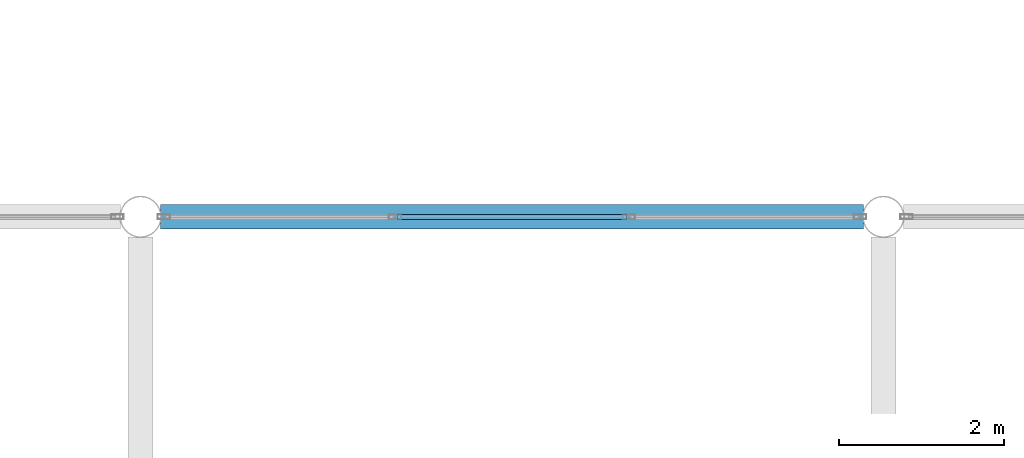
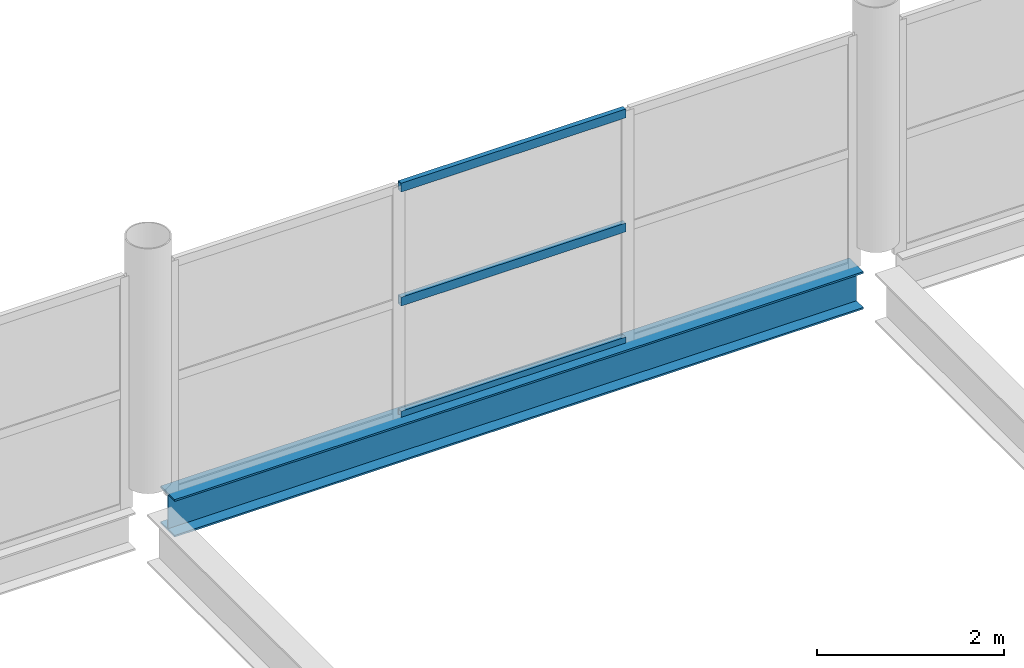
# One storey, part 41 of 134: 3 members, 1 beam, 1 element without a shape of its own.
"""IFC4 building model written with IfcOpenShell, lengths in metres."""

import ifcopenshell
import ifcopenshell.guid

model = None  # the IFC model being written
_history = None  # IfcOwnerHistory: only IFC2X3 demands one
_inside = {}  # id of a spatial element -> (the spatial element, [elements in it])
_under = {}  # id of a project, library or spatial element -> (it, [spatial elements below it])
_declared = {}  # id of a project -> (the project, [libraries it declares])
_typed = {}  # id of a type object -> (the type object, [elements of that type])
_made_of = {}  # id of a material, layer set ... -> (it, [elements and type objects made of it])


def new_model(schema):
    """Start an empty IFC model of exactly this schema.

    Asked for "IFC4X3", IfcOpenShell would pick the latest addendum, in which some entities
    have other attributes; the version numbers below select the first issue.
    IFC2X3 requires an IfcOwnerHistory on every rooted entity: one is made here for all.
    """
    global model, _history
    if schema == "IFC4X3":
        model = ifcopenshell.file(schema_version=(4, 3, 0, 0))
    else:
        model = ifcopenshell.file(schema=schema)
    _inside.clear()
    _under.clear()
    _declared.clear()
    _typed.clear()
    _made_of.clear()
    _history = None
    if model.schema == "IFC2X3":
        org = make("IfcOrganization", Name="unknown")
        user = make(
            "IfcPersonAndOrganization",
            ThePerson=make("IfcPerson", FamilyName="unknown"),
            TheOrganization=org,
        )
        app = make(
            "IfcApplication",
            ApplicationDeveloper=org,
            Version="unknown",
            ApplicationFullName="unknown",
            ApplicationIdentifier="unknown",
        )
        _history = make(
            "IfcOwnerHistory",
            OwningUser=user,
            OwningApplication=app,
            ChangeAction="ADDED",
            CreationDate=0,
        )
    return model


def make(cls, **values):
    """One entity of the class cls with the attributes given. An attribute that is None is left unset."""
    return model.create_entity(
        cls, **{name: value for name, value in values.items() if value is not None}
    )


def rooted(cls, **values):
    """An entity with a GlobalId (a new one), such as an element, a storey or a relation."""
    return make(cls, GlobalId=ifcopenshell.guid.new(), OwnerHistory=_history, **values)


def si_unit(unit_type, name, prefix=None):
    """IfcSIUnit, for example si_unit("LENGTHUNIT", "METRE", prefix="MILLI")."""
    return make("IfcSIUnit", UnitType=unit_type, Prefix=prefix, Name=name)


def assignment(units):
    """IfcUnitAssignment: the units of a project."""
    return None if units is None else make("IfcUnitAssignment", Units=units)


def point(xyz):
    """IfcCartesianPoint."""
    return None if xyz is None else make("IfcCartesianPoint", Coordinates=xyz)


def direction(xyz):
    """IfcDirection."""
    return None if xyz is None else make("IfcDirection", DirectionRatios=xyz)


def frame(location, z_axis=None, x_axis=None):
    """IfcAxis2Placement3D, a coordinate frame: its origin and axes. An axis left out is left unset."""
    return make(
        "IfcAxis2Placement3D",
        Location=point(location),
        Axis=direction(z_axis),
        RefDirection=direction(x_axis),
    )


def frame_2d(location, x_axis=None):
    """IfcAxis2Placement2D, a coordinate frame in the plane: its origin and x axis."""
    return make(
        "IfcAxis2Placement2D", Location=point(location), RefDirection=direction(x_axis)
    )


def origin():
    """The frame at (0, 0, 0) with its axes left unset."""
    return frame((0.0, 0.0, 0.0))


def origin_2d():
    """The frame at (0, 0) in the plane with its x axis left unset."""
    return frame_2d((0.0, 0.0))


def place(relative_to, where):
    """IfcLocalPlacement: puts the frame where relative to a parent placement (None: the world)."""
    return make(
        "IfcLocalPlacement", PlacementRelTo=relative_to, RelativePlacement=where
    )


def context(
    kind, dimensions, precision=None, world=None, true_north=None, identifier=None
):
    """IfcGeometricRepresentationContext, for example the 3D "Model" context."""
    return make(
        "IfcGeometricRepresentationContext",
        ContextIdentifier=identifier,
        ContextType=kind,
        CoordinateSpaceDimension=dimensions,
        Precision=precision,
        WorldCoordinateSystem=world,
        TrueNorth=true_north,
    )


def subcontext(parent, identifier, kind, view, scale=None):
    """IfcGeometricRepresentationSubContext, for example "Body" below "Model"."""
    return make(
        "IfcGeometricRepresentationSubContext",
        ContextIdentifier=identifier,
        ContextType=kind,
        ParentContext=parent,
        TargetScale=scale,
        TargetView=view,
    )


def project(units=None, contexts=None):
    """IfcProject with its units and contexts."""
    return rooted(
        "IfcProject",
        Name="project",
        RepresentationContexts=contexts,
        UnitsInContext=assignment(units),
    )


def spatial(cls, under=None, at=None, **own):
    """A site, building, storey or space (cls), placed at a placement, below another one or the project."""
    s = rooted(cls, ObjectPlacement=at, **own)
    if under is not None:
        _under.setdefault(under.id(), (under, []))[1].append(s)
    return s


def profile(cls, at=None, kind="AREA", **sizes):
    """A parametric profile (cls). Its sizes go by their IFC names, for example OverallWidth=200.0."""
    return make(cls, ProfileType=kind, Position=at, **sizes)


def hollow_rectangle(**sizes):
    """IfcRectangleHollowProfileDef."""
    return profile("IfcRectangleHollowProfileDef", **sizes)


def i_section(**sizes):
    """IfcIShapeProfileDef."""
    return profile("IfcIShapeProfileDef", **sizes)


def extrude(swept, where, along, depth):
    """IfcExtrudedAreaSolid: the profile swept, set in the frame where, extruded along a direction by depth."""
    return make(
        "IfcExtrudedAreaSolid",
        SweptArea=swept,
        Position=where,
        ExtrudedDirection=direction(along),
        Depth=depth,
    )


def shape(context_of_items, identifier, shape_type, items):
    """IfcShapeRepresentation: the items that make up one representation, for example the "Body"."""
    return make(
        "IfcShapeRepresentation",
        ContextOfItems=context_of_items,
        RepresentationIdentifier=identifier,
        RepresentationType=shape_type,
        Items=items,
    )


def material(Name=None, Category=None):
    """IfcMaterial."""
    return make("IfcMaterial", Name=Name, Category=Category)


def layer(
    of_material, thickness, ventilated=None, Name=None, Category=None, Priority=None
):
    """IfcMaterialLayer: one layer of a wall or slab, of a material (None: an air gap)."""
    return make(
        "IfcMaterialLayer",
        Material=of_material,
        LayerThickness=thickness,
        IsVentilated=ventilated,
        Name=Name,
        Category=Category,
        Priority=Priority,
    )


def layer_set(layers, Name=None):
    """IfcMaterialLayerSet."""
    return make("IfcMaterialLayerSet", MaterialLayers=layers, LayerSetName=Name)


def material_profile(
    of_material, cross_section, Name=None, Category=None, Priority=None
):
    """IfcMaterialProfile: a cross section and its material."""
    return make(
        "IfcMaterialProfile",
        Name=Name,
        Material=of_material,
        Profile=cross_section,
        Priority=Priority,
        Category=Category,
    )


def profile_set(profiles, Name=None, composite=None):
    """IfcMaterialProfileSet."""
    return make(
        "IfcMaterialProfileSet",
        Name=Name,
        MaterialProfiles=profiles,
        CompositeProfile=composite,
    )


def made_of(thing, what):
    """Note that an element or type object is made of a material, layer set ...; save() writes the relation."""
    if what is not None:
        _made_of.setdefault(what.id(), (what, []))[1].append(thing)
    return thing


def type_object(cls, material=None, **own):
    """A type object (cls), such as IfcWallType, which elements share."""
    return made_of(rooted(cls, **own), material)


def element(
    cls,
    number,
    at=None,
    inside=None,
    cuts=None,
    type_object=None,
    material=None,
    context=None,
    identifier="Body",
    shape_type=None,
    held_by="IfcProductDefinitionShape",
    body=None,
    shapes=None,
    **own,
):
    """One element of the class cls, such as IfcWall. Its Tag is "e" and its number.

    at: its placement. inside: the storey or other place that contains it. cuts: it is an
    opening in that element (IfcRelVoidsElement). A single representation is given by context,
    identifier, shape_type and body (its items); several are given by shapes. held_by: the class
    of the entity that holds the representations. save() writes the other relations.
    """
    e = rooted(cls, Tag="e%d" % number, ObjectPlacement=at, **own)
    if body is not None:
        shapes = [shape(context, identifier, shape_type, body)]
    if shapes is not None:
        e.Representation = make(held_by, Representations=shapes)
    if inside is not None:
        _inside.setdefault(inside.id(), (inside, []))[1].append(e)
    if cuts is not None:
        rooted(
            "IfcRelVoidsElement", RelatingBuildingElement=cuts, RelatedOpeningElement=e
        )
    if type_object is not None:
        _typed.setdefault(type_object.id(), (type_object, []))[1].append(e)
    return made_of(e, material)


def aggregate(whole, parts):
    """IfcRelAggregates: a whole, such as a stair, and the parts it consists of."""
    return rooted("IfcRelAggregates", RelatingObject=whole, RelatedObjects=parts)


def save(model, path):
    """Write the relations noted so far, then the file.

    IfcRelAggregates (storeys below a building ...), IfcRelContainedInSpatialStructure (elements
    in a storey), IfcRelDefinesByType, IfcRelAssociatesMaterial and IfcRelDeclares: one each for
    every whole, place, type object, material and project.
    """
    for whole, parts in _under.values():
        aggregate(whole, parts)
    for where, things in _inside.values():
        rooted(
            "IfcRelContainedInSpatialStructure",
            RelatedElements=things,
            RelatingStructure=where,
        )
    for kind, things in _typed.values():
        rooted("IfcRelDefinesByType", RelatedObjects=things, RelatingType=kind)
    for what, things in _made_of.values():
        rooted("IfcRelAssociatesMaterial", RelatedObjects=things, RelatingMaterial=what)
    for by, libraries in _declared.values():
        rooted("IfcRelDeclares", RelatingContext=by, RelatedDefinitions=libraries)
    model.write(path)


model = new_model("IFC4")

# Units and contexts
model_context = context("Model", 3, precision=1e-05, world=origin(), true_north=direction((0.0, 1.0)))
body_context = subcontext(model_context, "Body", "Model", "MODEL_VIEW")
ifc_project = project(units=[si_unit("LENGTHUNIT", "METRE"), si_unit("AREAUNIT", "SQUARE_METRE"), si_unit("VOLUMEUNIT", "CUBIC_METRE"), si_unit("PLANEANGLEUNIT", "RADIAN"), si_unit("MASSUNIT", "GRAM", prefix="KILO")], contexts=[model_context])

# Site, building, storey
site_placement = place(None, origin())
site = spatial("IfcSite", under=ifc_project, at=site_placement, CompositionType="ELEMENT")
building_placement = place(site_placement, origin())
building = spatial("IfcBuilding", under=site, at=building_placement, Name="Tamarisk Ironworks Central Station", CompositionType="ELEMENT")
storey_placement = place(building_placement, frame((0.0, 0.0, 12.60009765625)))
storey = spatial("IfcBuildingStorey", under=building, at=storey_placement, Name="L02", CompositionType="ELEMENT", Elevation=12.60009765625)

# Beam
ifc_material_1 = material(Name="Structural steel S355J2", Category="steel")
ifc_material_profile_1 = material_profile(ifc_material_1, i_section(OverallWidth=0.300048828125, OverallDepth=0.489990234375, WebThickness=0.011962890625, FlangeThickness=0.02294921875, at=origin_2d()), Name="HEA 500")
ifc_profile_set_1 = profile_set([ifc_material_profile_1], Name="Structural steel S355J2")
beam_type = type_object("IfcBeamType", Name="BM-G05", PredefinedType="BEAM", material=ifc_profile_set_1)
beam_placement = place(storey_placement, frame((27.241943359375, 79.199951171875, -0.4951171875), z_axis=(1.0, 0.0, 0.0), x_axis=(0.0, 1.0, 0.0)))
element("IfcBeam", 1, at=beam_placement, inside=storey, type_object=beam_type, Name="L02 primary girder X-0358", PredefinedType="BEAM", context=body_context, shape_type="SweptSolid", body=[
    extrude(i_section(OverallWidth=0.300048828125, OverallDepth=0.489990234375, WebThickness=0.011962890625, FlangeThickness=0.02294921875, at=origin_2d()), origin(), (0.0, 0.0, 1.0), 8.51611328125),
])

# Curtain wall, members
ifc_material_2 = material(Name="Anodized aluminium alloy 6063-T6", Category="aluminium")
ifc_layer = layer(ifc_material_2, 0.179931640625)
ifc_layer_set = layer_set([ifc_layer], Name="Anodized aluminium alloy 6063-T6")
curtain_wall_type = type_object("IfcCurtainWallType", Name="CW-08", PredefinedType="USERDEFINED", material=ifc_layer_set)
curtain_wall_placement = place(storey_placement, origin())
curtain_wall = element("IfcCurtainWall", 2, at=curtain_wall_placement, inside=storey, type_object=curtain_wall_type, Name="Train shed WN clerestory curtain wall 027", ObjectType="GLAZED CURTAIN WALL", PredefinedType="USERDEFINED")
ifc_material_profile_2 = material_profile(ifc_material_2, hollow_rectangle(XDim=0.06005859375, YDim=0.114990234375, WallThickness=0.00341796875, at=origin_2d()), Name="ALUM 115x60")
ifc_profile_set_2 = profile_set([ifc_material_profile_2], Name="Anodized aluminium alloy 6063-T6")
member_type = type_object("IfcMemberType", Name="CWT-03", PredefinedType="USERDEFINED", material=ifc_profile_set_2)
member_1_placement = place(storey_placement, frame((30.110107421875, 79.199951171875, -0.22998046875), z_axis=(1.0, 0.0, 0.0), x_axis=(0.0, 1.0, 0.0)))
member_1 = element("IfcMember", 3, at=member_1_placement, type_object=member_type, Name="CW08 transom 2.1", ObjectType="TRANSOM", PredefinedType="USERDEFINED", context=body_context, shape_type="SweptSolid", body=[
    extrude(hollow_rectangle(XDim=0.06005859375, YDim=0.114990234375, WallThickness=0.00341796875, at=origin_2d()), origin(), (0.0, 0.0, 1.0), 2.77978515625),
])
member_2_placement = place(storey_placement, frame((30.110107421875, 79.199951171875, 1.260009765625), z_axis=(1.0, 0.0, 0.0), x_axis=(0.0, 1.0, 0.0)))
member_2 = element("IfcMember", 4, at=member_2_placement, type_object=member_type, Name="CW08 transom 2.2", ObjectType="TRANSOM", PredefinedType="USERDEFINED", context=body_context, shape_type="SweptSolid", body=[
    extrude(hollow_rectangle(XDim=0.06005859375, YDim=0.114990234375, WallThickness=0.00341796875, at=origin_2d()), origin(), (0.0, 0.0, 1.0), 2.77978515625),
])
member_3_placement = place(storey_placement, frame((30.110107421875, 79.199951171875, 2.75), z_axis=(1.0, 0.0, 0.0), x_axis=(0.0, 1.0, 0.0)))
member_3 = element("IfcMember", 5, at=member_3_placement, type_object=member_type, Name="CW08 transom 2.3", ObjectType="TRANSOM", PredefinedType="USERDEFINED", context=body_context, shape_type="SweptSolid", body=[
    extrude(hollow_rectangle(XDim=0.06005859375, YDim=0.114990234375, WallThickness=0.00341796875, at=origin_2d()), origin(), (0.0, 0.0, 1.0), 2.77978515625),
])
aggregate(curtain_wall, [member_1, member_2, member_3])

save(model, "model.ifc")
